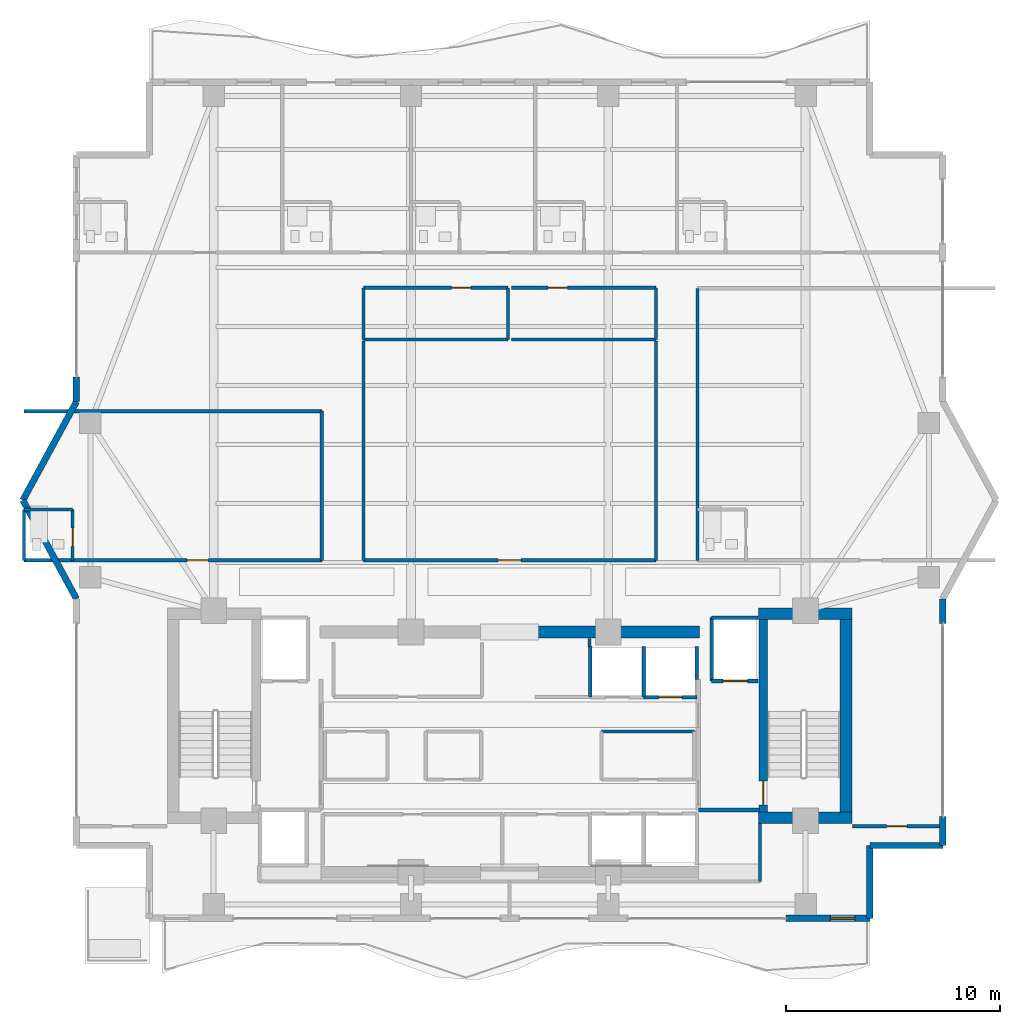
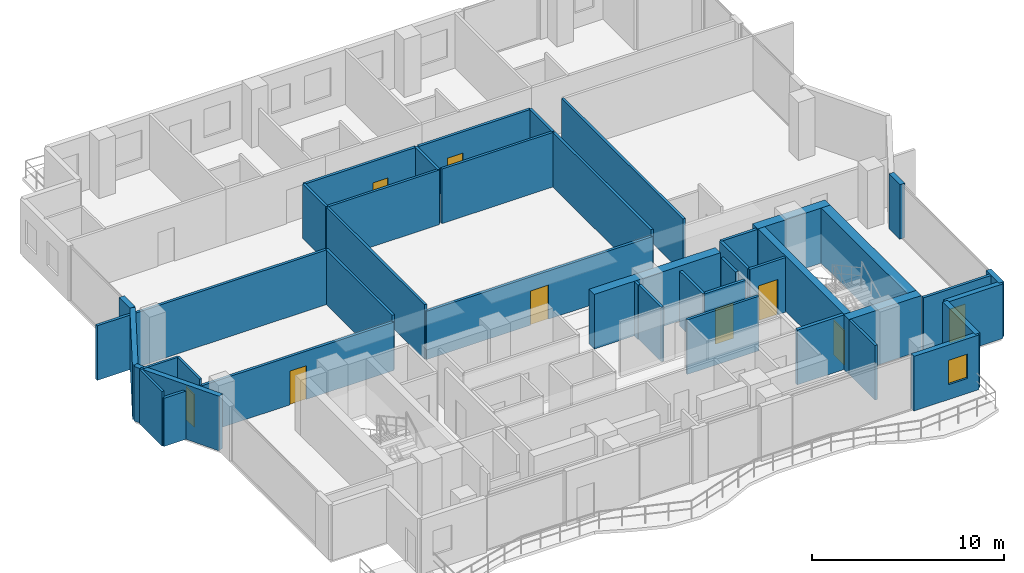
# One storey, part 19 of 25: 42 walls, 9 doors, 1 window, 10 openings.
"""IFC4 building model written with IfcOpenShell, lengths in metres."""

from ifc_helpers import new_model, si_unit, direction, frame, frame_2d, origin, place, context, subcontext, project, spatial, rectangle, extrude, material, layer, layer_set, type_object, element, fill, save


model = new_model("IFC4")

# Units and contexts
model_context = context("Model", 3, precision=1e-05, world=origin(), true_north=direction((0.0, 1.0)))
body_context = subcontext(model_context, "Body", "Model", "MODEL_VIEW")
ifc_project = project(units=[si_unit("LENGTHUNIT", "METRE"), si_unit("AREAUNIT", "SQUARE_METRE"), si_unit("VOLUMEUNIT", "CUBIC_METRE"), si_unit("PLANEANGLEUNIT", "RADIAN"), si_unit("MASSUNIT", "GRAM", prefix="KILO")], contexts=[model_context])

# Site, building, storey
site_placement = place(None, origin())
site = spatial("IfcSite", under=ifc_project, at=site_placement, CompositionType="ELEMENT")
building_placement = place(site_placement, origin())
building = spatial("IfcBuilding", under=site, at=building_placement, Name="Zuhayl Quay Hotel", CompositionType="ELEMENT")
storey_placement = place(building_placement, frame((0.0, 0.0, 243.35009765625)))
storey = spatial("IfcBuildingStorey", under=building, at=storey_placement, Name="L61", CompositionType="ELEMENT", Elevation=243.35009765625)

# Walls
ifc_material_1 = material(Name="Concrete C50/60", Category="concrete")
ifc_layer_1 = layer(ifc_material_1, 0.550048828125, Name="Concrete C50/60", Category="concrete")
ifc_layer_set_1 = layer_set([ifc_layer_1], Name="Concrete C50/60")
wall_type_1 = type_object("IfcWallType", Name="WL_CORE_550", PredefinedType="SHEAR", material=ifc_layer_set_1)
wall_1_placement = place(storey_placement, frame((11.60009765625, 14.205078125, 0.0), z_axis=(0.0, 0.0, 1.0), x_axis=(1.0, 0.0, 0.0)))
element("IfcWall", 1, at=wall_1_placement, inside=storey, type_object=wall_type_1, Name="L61 Core Shear Wall CW_NE", PredefinedType="SHEAR", context=body_context, shape_type="SweptSolid", body=[
    extrude(rectangle(XDim=4.35986328125, YDim=0.550048828125, at=frame_2d((2.179931640625, 0.0))), origin(), (0.0, 0.0, 1.0), 3.510009765625),
])
wall_2_placement = place(storey_placement, frame((15.68505859375, 4.969970703125, 0.0), z_axis=(0.0, 0.0, 1.0), x_axis=(0.0, 1.0, 0.0)))
element("IfcWall", 2, at=wall_2_placement, inside=storey, type_object=wall_type_1, Name="L61 Core Shear Wall CW_E", PredefinedType="SHEAR", context=body_context, shape_type="SweptSolid", body=[
    extrude(rectangle(XDim=8.9599609375, YDim=0.550048828125, at=frame_2d((4.47998046875, 0.0))), origin(), (0.0, 0.0, 1.0), 3.510009765625),
])
wall_3_placement = place(storey_placement, frame((11.60009765625, 4.695068359375, 0.0), z_axis=(0.0, 0.0, 1.0), x_axis=(1.0, 0.0, 0.0)))
element("IfcWall", 3, at=wall_3_placement, inside=storey, type_object=wall_type_1, Name="L61 Core Shear Wall CW_SE", PredefinedType="SHEAR", context=body_context, shape_type="SweptSolid", body=[
    extrude(rectangle(XDim=4.35986328125, YDim=0.550048828125, at=frame_2d((2.179931640625, 0.0))), origin(), (0.0, 0.0, 1.0), 3.510009765625),
])
wall_4_placement = place(storey_placement, frame((1.25, 13.35009765625, 0.0), z_axis=(0.0, 0.0, 1.0), x_axis=(1.0, 0.0, 0.0)))
element("IfcWall", 4, at=wall_4_placement, inside=storey, type_object=wall_type_1, Name="L61 Core Shear Wall CW_NC_E", PredefinedType="SHEAR", context=body_context, shape_type="SweptSolid", body=[
    extrude(rectangle(XDim=7.60009765625, YDim=0.550048828125, at=frame_2d((3.800048828125, 0.0))), origin(), (0.0, 0.0, 1.0), 3.47998046875),
])
ifc_material_2 = material(Name="Precast concrete C45/55", Category="concrete")
ifc_layer_2 = layer(ifc_material_2, 0.300048828125, Name="Precast concrete C45/55", Category="concrete")
ifc_layer_set_2 = layer_set([ifc_layer_2], Name="Precast concrete C45/55")
wall_type_2 = type_object("IfcWallType", Name="WL_EXT_300", PredefinedType="STANDARD", material=ifc_layer_set_2)
for number, where, z_axis, x_axis, name in (
    (5, (-20.199951171875, 14.89990234375, 0.0), (0.0, 0.0, 1.0), (-0.477505494629, 0.878628762675, 0.0), "L61 Exterior Precast Wall ENV_L61_EW03"),
    (6, (-22.699951171875, 19.5, 0.0), (0.0, 0.0, 1.0), (0.477505494629, 0.878628762675, 0.0), "L61 Exterior Precast Wall ENV_L61_EW04"),
):
    element("IfcWall", number, at=place(storey_placement, frame(where, z_axis=z_axis, x_axis=x_axis)), inside=storey, type_object=wall_type_2, Name=name, PredefinedType="STANDARD", context=body_context, shape_type="SweptSolid", body=[
        extrude(rectangle(XDim=5.235595703125, YDim=0.300048828125, at=frame_2d((2.61767578125, 0.0))), origin(), (0.0, 0.0, 1.0), 3.47998046875),
    ])
for number, where, z_axis, x_axis, name in (
    (7, (-20.199951171875, 24.10009765625, 0.0), (0.0, 0.0, 1.0), (0.0, 1.0, 0.0), "L61 Exterior Precast Wall ENV_L61_E05_EW1"),
    (8, (20.199951171875, 14.89990234375, 0.0), (0.0, 0.0, 1.0), (0.0, -1.0, 0.0), "L61 Exterior Precast Wall ENV_L61_E14_EW1"),
):
    element("IfcWall", number, at=place(storey_placement, frame(where, z_axis=z_axis, x_axis=x_axis)), inside=storey, type_object=wall_type_2, Name=name, PredefinedType="STANDARD", context=body_context, shape_type="SweptSolid", body=[
        extrude(rectangle(XDim=1.14990234375, YDim=0.300048828125, at=frame_2d((0.574951171875, 0.0))), origin(), (0.0, 0.0, 1.0), 3.47998046875),
    ])
wall_5_placement = place(storey_placement, frame((20.199951171875, 4.75, 0.0), z_axis=(0.0, 0.0, 1.0), x_axis=(0.0, -1.0, 0.0)))
element("IfcWall", 9, at=wall_5_placement, inside=storey, type_object=wall_type_2, Name="L61 Exterior Precast Wall ENV_L61_E14_EW2", PredefinedType="STANDARD", context=body_context, shape_type="SweptSolid", body=[
    extrude(rectangle(XDim=1.35009765625, YDim=0.300048828125, at=frame_2d((0.675048828125, 0.0))), origin(), (0.0, 0.0, 1.0), 3.47998046875),
])
for number, where, z_axis, x_axis, name in (
    (10, (20.199951171875, 3.39990234375, 0.0), (0.0, 0.0, 1.0), (-1.0, 0.0, 0.0), "L61 Exterior Precast Wall ENV_L61_EW15"),
    (11, (16.800048828125, 3.39990234375, 0.0), (0.0, 0.0, 1.0), (0.0, -1.0, 0.0), "L61 Exterior Precast Wall ENV_L61_EW16"),
):
    element("IfcWall", number, at=place(storey_placement, frame(where, z_axis=z_axis, x_axis=x_axis)), inside=storey, type_object=wall_type_2, Name=name, PredefinedType="STANDARD", context=body_context, shape_type="SweptSolid", body=[
        extrude(rectangle(XDim=3.39990234375, YDim=0.300048828125, at=frame_2d((1.699951171875, 0.0))), origin(), (0.0, 0.0, 1.0), 3.47998046875),
    ])

# Wall, opening, window
wall_6_placement = place(storey_placement, frame((16.800048828125, 0.0, 0.0), z_axis=(0.0, 0.0, 1.0), x_axis=(-1.0, 0.0, 0.0)))
wall_6 = element("IfcWall", 12, at=wall_6_placement, inside=storey, type_object=wall_type_2, Name="L61 Exterior Precast Wall ENV_L61_S_EW1", PredefinedType="STANDARD", context=body_context, shape_type="SweptSolid", body=[
    extrude(rectangle(XDim=3.920166015625, YDim=0.300048828125, at=frame_2d((1.9599609375, 0.0))), origin(), (0.0, 0.0, 1.0), 3.47998046875),
])
opening_1_placement = place(wall_6_placement, frame((0.695068359375, 0.0, 0.949951171875)))
opening_1 = element("IfcOpeningElement", 13, at=opening_1_placement, cuts=wall_6, Name="Opening W01N", PredefinedType="OPENING", context=body_context, shape_type="SweptSolid", body=[
    extrude(rectangle(XDim=1.14990234375, YDim=1.550048828125, at=frame_2d((0.574951171875, 0.77490234375))), frame((0.0, 0.159912109375, 0.0), z_axis=(0.0, -1.0, 0.0), x_axis=(1.0, 0.0, 0.0)), (0.0, 0.0, 1.0), 0.320068359375),
])
ifc_material_3 = material(Name="Dark Ceramic-Fritted Solar Glass", Category="glass")
window_type = type_object("IfcWindowType", Name="WN_NOTCH_1350", PartitioningType="SINGLE_PANEL", PredefinedType="WINDOW", material=ifc_material_3)
window_placement = place(opening_1_placement, origin())
window = element("IfcWindow", 14, at=window_placement, inside=storey, type_object=window_type, Name="L61 Operable Facade Window 1-1", OverallHeight=1.550048828125, OverallWidth=1.14990234375, PartitioningType="SINGLE_PANEL", PredefinedType="WINDOW", context=body_context, shape_type="SweptSolid", body=[
    extrude(rectangle(XDim=1.14990234375, YDim=1.550048828125, at=frame_2d((0.574951171875, 0.77490234375))), frame((0.0, 0.030029296875, 0.0), z_axis=(0.0, -1.0, 0.0), x_axis=(1.0, 0.0, 0.0)), (0.0, 0.0, 1.0), 0.06005859375),
])
fill(opening_1, window)

# Walls
ifc_material_4 = material(Name="Acoustic Gypsum Partition STC-58")
ifc_layer_3 = layer(ifc_material_4, 0.14990234375, Name="Acoustic Gypsum Partition STC-58")
ifc_layer_set_3 = layer_set([ifc_layer_3], Name="Acoustic Gypsum Partition STC-58")
wall_type_3 = type_object("IfcWallType", Name="WL_PART_150", PredefinedType="PARTITIONING", material=ifc_layer_set_3)
wall_7_placement = place(storey_placement, frame((4.2900390625, 8.719970703125, 0.0), z_axis=(0.0, 0.0, 1.0), x_axis=(1.0, 0.0, 0.0)))
element("IfcWall", 15, at=wall_7_placement, inside=storey, type_object=wall_type_3, Name="L61 Partition IW_L61_CORE_VL_N", PredefinedType="PARTITIONING", context=body_context, shape_type="SweptSolid", body=[
    extrude(rectangle(XDim=4.320068359375, YDim=0.14990234375, at=frame_2d((2.16015625, 0.0))), origin(), (0.0, 0.0, 1.0), 3.47998046875),
])
wall_8_placement = place(storey_placement, frame((3.719970703125, 12.679931640625, 0.0), z_axis=(0.0, 0.0, 1.0), x_axis=(0.0, 1.0, 0.0)))
element("IfcWall", 16, at=wall_8_placement, inside=storey, type_object=wall_type_3, Name="L61 Partition IW_L61_VEST_MP4_E", PredefinedType="PARTITIONING", context=body_context, shape_type="SweptSolid", body=[
    extrude(rectangle(XDim=0.3701171875, YDim=0.14990234375, at=frame_2d((0.18505859375, 0.0))), origin(), (0.0, 0.0, 1.0), 3.47998046875),
])
wall_9_placement = place(storey_placement, frame((11.679931640625, 1.719970703125, 0.0), z_axis=(0.0, 0.0, 1.0), x_axis=(0.0, 1.0, 0.0)))
element("IfcWall", 17, at=wall_9_placement, inside=storey, type_object=wall_type_3, Name="L61 Partition IW_L61_Z4_SUN_SE_IN", PredefinedType="PARTITIONING", context=body_context, shape_type="SweptSolid", body=[
    extrude(rectangle(XDim=2.699951171875, YDim=0.14990234375, at=frame_2d((1.35009765625, 0.0))), origin(), (0.0, 0.0, 1.0), 3.47998046875),
])
wall_10_placement = place(storey_placement, frame((-6.820068359375, 27.0, 0.0), z_axis=(0.0, 0.0, 1.0), x_axis=(1.0, 0.0, 0.0)))
element("IfcWall", 18, at=wall_10_placement, inside=storey, type_object=wall_type_3, Name="L61 Partition IW_L61_HK_MAIN_S", PredefinedType="PARTITIONING", context=body_context, shape_type="SweptSolid", body=[
    extrude(rectangle(XDim=6.739990234375, YDim=0.14990234375, at=frame_2d((3.3701171875, 0.0))), origin(), (0.0, 0.0, 1.0), 3.47998046875),
])
for number, where, z_axis, x_axis, name in (
    (19, (-6.820068359375, 27.0, 0.0), (0.0, 0.0, 1.0), (0.0, 1.0, 0.0), "L61 Partition IW_L61_HK_MAIN_W"),
    (20, (-0.080078125, 27.0, 0.0), (0.0, 0.0, 1.0), (0.0, 1.0, 0.0), "L61 Partition IW_L61_HK_MAIN_E"),
):
    element("IfcWall", number, at=place(storey_placement, frame(where, z_axis=z_axis, x_axis=x_axis)), inside=storey, type_object=wall_type_3, Name=name, PredefinedType="PARTITIONING", context=body_context, shape_type="SweptSolid", body=[
        extrude(rectangle(XDim=2.39990234375, YDim=0.14990234375, at=frame_2d((1.199951171875, 0.0))), origin(), (0.0, 0.0, 1.0), 3.47998046875),
    ])
wall_11_placement = place(storey_placement, frame((0.080078125, 27.0, 0.0), z_axis=(0.0, 0.0, 1.0), x_axis=(1.0, 0.0, 0.0)))
element("IfcWall", 21, at=wall_11_placement, inside=storey, type_object=wall_type_3, Name="L61 Partition IW_L61_TEA_MAIN_S", PredefinedType="PARTITIONING", context=body_context, shape_type="SweptSolid", body=[
    extrude(rectangle(XDim=6.739990234375, YDim=0.14990234375, at=frame_2d((3.3701171875, 0.0))), origin(), (0.0, 0.0, 1.0), 3.47998046875),
])
wall_12_placement = place(storey_placement, frame((6.820068359375, 27.0, 0.0), z_axis=(0.0, 0.0, 1.0), x_axis=(0.0, 1.0, 0.0)))
element("IfcWall", 22, at=wall_12_placement, inside=storey, type_object=wall_type_3, Name="L61 Partition IW_L61_TEA_MAIN_E", PredefinedType="PARTITIONING", context=body_context, shape_type="SweptSolid", body=[
    extrude(rectangle(XDim=2.39990234375, YDim=0.14990234375, at=frame_2d((1.199951171875, 0.0))), origin(), (0.0, 0.0, 1.0), 3.47998046875),
])
for number, where, z_axis, x_axis, name in (
    (23, (-6.820068359375, 16.699951171875, 0.0), (0.0, 0.0, 1.0), (0.0, 1.0, 0.0), "L61 Partition IW_L61_Z4_MAJ_W"),
    (24, (6.820068359375, 16.699951171875, 0.0), (0.0, 0.0, 1.0), (0.0, 1.0, 0.0), "L61 Partition IW_L61_Z4_MAJ_E"),
):
    element("IfcWall", number, at=place(storey_placement, frame(where, z_axis=z_axis, x_axis=x_axis)), inside=storey, type_object=wall_type_3, Name=name, PredefinedType="PARTITIONING", context=body_context, shape_type="SweptSolid", body=[
        extrude(rectangle(XDim=10.219970703125, YDim=0.14990234375, at=frame_2d((5.10986328125, 0.0))), origin(), (0.0, 0.0, 1.0), 3.47998046875),
    ])
wall_13_placement = place(storey_placement, frame((-8.760009765625, 16.699951171875, 0.0), z_axis=(0.0, 0.0, 1.0), x_axis=(0.0, 1.0, 0.0)))
element("IfcWall", 25, at=wall_13_placement, inside=storey, type_object=wall_type_3, Name="L61 Partition IW_L61_WU01_E", PredefinedType="PARTITIONING", context=body_context, shape_type="SweptSolid", body=[
    extrude(rectangle(XDim=6.949951171875, YDim=0.14990234375, at=frame_2d((3.47509765625, 0.0))), origin(), (0.0, 0.0, 1.0), 3.47998046875),
])
wall_14_placement = place(storey_placement, frame((8.760009765625, 16.699951171875, 0.0), z_axis=(0.0, 0.0, 1.0), x_axis=(0.0, 1.0, 0.0)))
element("IfcWall", 26, at=wall_14_placement, inside=storey, type_object=wall_type_3, Name="L61 Partition IW_L61_EU01_W", PredefinedType="PARTITIONING", context=body_context, shape_type="SweptSolid", body=[
    extrude(rectangle(XDim=12.679931640625, YDim=0.14990234375, at=frame_2d((6.33984375, 0.0))), origin(), (0.0, 0.0, 1.0), 3.47998046875),
])

# Wall, opening, door
ifc_layer_4 = layer(ifc_material_4, 0.159912109375, Name="Acoustic Gypsum Partition STC-58")
ifc_layer_set_4 = layer_set([ifc_layer_4], Name="Acoustic Gypsum Partition STC-58")
wall_type_4 = type_object("IfcWallType", Name="WL_PART_CORR_160", PredefinedType="PARTITIONING", material=ifc_layer_set_4)
wall_15_placement = place(storey_placement, frame((15.97998046875, 4.300048828125, 0.0), z_axis=(0.0, 0.0, 1.0), x_axis=(1.0, 0.0, 0.0)))
wall_15 = element("IfcWall", 27, at=wall_15_placement, inside=storey, type_object=wall_type_4, Name="L61 Partition IW_L61_Z4_SUN_SE_N", PredefinedType="PARTITIONING", context=body_context, shape_type="SweptSolid", body=[
    extrude(rectangle(XDim=4.159912109375, YDim=0.159912109375, at=frame_2d((2.080078125, 0.0))), origin(), (0.0, 0.0, 1.0), 3.47998046875),
])
opening_2_placement = place(wall_15_placement, frame((1.60498046875, 0.0, 0.0)))
opening_2 = element("IfcOpeningElement", 28, at=opening_2_placement, cuts=wall_15, Name="Opening D03", PredefinedType="OPENING", context=body_context, shape_type="SweptSolid", body=[
    extrude(rectangle(XDim=0.949951171875, YDim=2.14990234375, at=frame_2d((0.47509765625, 1.074951171875))), frame((0.0, 0.08984375, 0.0), z_axis=(0.0, -1.0, 0.0), x_axis=(1.0, 0.0, 0.0)), (0.0, 0.0, 1.0), 0.179931640625),
])
ifc_material_5 = material(Name="Solid Walnut Acoustic Fire Door")
door_type_1 = type_object("IfcDoorType", Name="DR_SUITE_950", OperationType="NOTDEFINED", PredefinedType="DOOR", material=ifc_material_5)
door_1_placement = place(opening_2_placement, origin())
door_1 = element("IfcDoor", 29, at=door_1_placement, inside=storey, type_object=door_type_1, Name="L61 Sunset Salon SE Door", OperationType="SINGLE_SWING_LEFT", OverallHeight=2.14990234375, OverallWidth=0.949951171875, PredefinedType="DOOR", context=body_context, shape_type="SweptSolid", body=[
    extrude(rectangle(XDim=0.949951171875, YDim=2.14990234375, at=frame_2d((0.47509765625, 1.074951171875))), frame((0.0, 0.02490234375, 0.0), z_axis=(0.0, -1.0, 0.0), x_axis=(1.0, 0.0, 0.0)), (0.0, 0.0, 1.0), 0.050048828125),
])
fill(opening_2, door_1)

wall_16_placement = place(storey_placement, frame((-6.820068359375, 29.39990234375, 0.0), z_axis=(0.0, 0.0, 1.0), x_axis=(1.0, 0.0, 0.0)))
wall_16 = element("IfcWall", 30, at=wall_16_placement, inside=storey, type_object=wall_type_4, Name="L61 Partition IW_L61_HK_MAIN_N", PredefinedType="PARTITIONING", context=body_context, shape_type="SweptSolid", body=[
    extrude(rectangle(XDim=6.739990234375, YDim=0.159912109375, at=frame_2d((3.3701171875, 0.0))), origin(), (0.0, 0.0, 1.0), 3.47998046875),
])
opening_3_placement = place(wall_16_placement, frame((4.110107421875, 0.0, 0.0)))
opening_3 = element("IfcOpeningElement", 31, at=opening_3_placement, cuts=wall_16, Name="Opening D05", PredefinedType="OPENING", context=body_context, shape_type="SweptSolid", body=[
    extrude(rectangle(XDim=0.919921875, YDim=2.1201171875, at=frame_2d((0.4599609375, 1.06005859375))), frame((0.0, 0.08984375, 0.0), z_axis=(0.0, -1.0, 0.0), x_axis=(1.0, 0.0, 0.0)), (0.0, 0.0, 1.0), 0.179931640625),
])
door_type_2 = type_object("IfcDoorType", Name="DR_INT_950", OperationType="NOTDEFINED", PredefinedType="DOOR", material=ifc_material_5)
door_2_placement = place(opening_3_placement, origin())
door_2 = element("IfcDoor", 32, at=door_2_placement, inside=storey, type_object=door_type_2, Name="L61 Housekeeping and Linen Room Door", OperationType="SINGLE_SWING_RIGHT", OverallHeight=2.1201171875, OverallWidth=0.919921875, PredefinedType="DOOR", context=body_context, shape_type="SweptSolid", body=[
    extrude(rectangle(XDim=0.919921875, YDim=2.1201171875, at=frame_2d((0.4599609375, 1.06005859375))), frame((0.0, 0.02490234375, 0.0), z_axis=(0.0, -1.0, 0.0), x_axis=(1.0, 0.0, 0.0)), (0.0, 0.0, 1.0), 0.050048828125),
])
fill(opening_3, door_2)

wall_17_placement = place(storey_placement, frame((0.080078125, 29.39990234375, 0.0), z_axis=(0.0, 0.0, 1.0), x_axis=(1.0, 0.0, 0.0)))
wall_17 = element("IfcWall", 33, at=wall_17_placement, inside=storey, type_object=wall_type_4, Name="L61 Partition IW_L61_TEA_MAIN_N", PredefinedType="PARTITIONING", context=body_context, shape_type="SweptSolid", body=[
    extrude(rectangle(XDim=6.739990234375, YDim=0.159912109375, at=frame_2d((3.3701171875, 0.0))), origin(), (0.0, 0.0, 1.0), 3.47998046875),
])
opening_4_placement = place(wall_17_placement, frame((1.7099609375, 0.0, 0.0)))
opening_4 = element("IfcOpeningElement", 34, at=opening_4_placement, cuts=wall_17, Name="Opening D05", PredefinedType="OPENING", context=body_context, shape_type="SweptSolid", body=[
    extrude(rectangle(XDim=0.919921875, YDim=2.1201171875, at=frame_2d((0.4599609375, 1.06005859375))), frame((0.0, 0.08984375, 0.0), z_axis=(0.0, -1.0, 0.0), x_axis=(1.0, 0.0, 0.0)), (0.0, 0.0, 1.0), 0.179931640625),
])
door_3_placement = place(opening_4_placement, origin())
door_3 = element("IfcDoor", 35, at=door_3_placement, inside=storey, type_object=door_type_2, Name="L61 Floor Beverage Pantry Door", OperationType="SINGLE_SWING_LEFT", OverallHeight=2.1201171875, OverallWidth=0.919921875, PredefinedType="DOOR", context=body_context, shape_type="SweptSolid", body=[
    extrude(rectangle(XDim=0.919921875, YDim=2.1201171875, at=frame_2d((0.4599609375, 1.06005859375))), frame((0.0, 0.02490234375, 0.0), z_axis=(0.0, -1.0, 0.0), x_axis=(1.0, 0.0, 0.0)), (0.0, 0.0, 1.0), 0.050048828125),
])
fill(opening_4, door_3)

wall_18_placement = place(storey_placement, frame((-6.820068359375, 16.699951171875, 0.0), z_axis=(0.0, 0.0, 1.0), x_axis=(1.0, 0.0, 0.0)))
wall_18 = element("IfcWall", 36, at=wall_18_placement, inside=storey, type_object=wall_type_4, Name="L61 Partition IW_L61_Z4_MAJ_S", PredefinedType="PARTITIONING", context=body_context, shape_type="SweptSolid", body=[
    extrude(rectangle(XDim=13.64013671875, YDim=0.159912109375, at=frame_2d((6.820068359375, 0.0))), origin(), (0.0, 0.0, 1.0), 3.075927734375),
])
opening_5_placement = place(wall_18_placement, frame((6.280029296875, 0.0, 0.0)))
opening_5 = element("IfcOpeningElement", 37, at=opening_5_placement, cuts=wall_18, Name="Opening D05A", PredefinedType="OPENING", context=body_context, shape_type="SweptSolid", body=[
    extrude(rectangle(XDim=1.080078125, YDim=2.179931640625, at=frame_2d((0.5400390625, 1.08984375))), frame((0.0, 0.08984375, 0.0), z_axis=(0.0, -1.0, 0.0), x_axis=(1.0, 0.0, 0.0)), (0.0, 0.0, 1.0), 0.179931640625),
])
door_type_3 = type_object("IfcDoorType", Name="DR_INT_1100", OperationType="NOTDEFINED", PredefinedType="DOOR", material=ifc_material_5)
door_4_placement = place(opening_5_placement, origin())
door_4 = element("IfcDoor", 38, at=door_4_placement, inside=storey, type_object=door_type_3, Name="L61 Royal Gulf Majlis Door", OperationType="SINGLE_SWING_RIGHT", OverallHeight=2.179931640625, OverallWidth=1.080078125, PredefinedType="DOOR", context=body_context, shape_type="SweptSolid", body=[
    extrude(rectangle(XDim=1.080078125, YDim=2.179931640625, at=frame_2d((0.5400390625, 1.08984375))), frame((0.0, 0.02490234375, 0.0), z_axis=(0.0, -1.0, 0.0), x_axis=(1.0, 0.0, 0.0)), (0.0, 0.0, 1.0), 0.050048828125),
])
fill(opening_5, door_4)

wall_19_placement = place(storey_placement, frame((-22.639892578125, 16.699951171875, 0.0), z_axis=(0.0, 0.0, 1.0), x_axis=(1.0, 0.0, 0.0)))
wall_19 = element("IfcWall", 39, at=wall_19_placement, inside=storey, type_object=wall_type_4, Name="L61 Partition IW_L61_WU01_COR", PredefinedType="PARTITIONING", context=body_context, shape_type="SweptSolid", body=[
    extrude(rectangle(XDim=13.8798828125, YDim=0.159912109375, at=frame_2d((6.93994140625, 0.0))), origin(), (0.0, 0.0, 1.0), 3.075927734375),
])
opening_6_placement = place(wall_19_placement, frame((7.590087890625, 0.0, 0.0)))
opening_6 = element("IfcOpeningElement", 40, at=opening_6_placement, cuts=wall_19, Name="Opening D03L", PredefinedType="OPENING", context=body_context, shape_type="SweptSolid", body=[
    extrude(rectangle(XDim=1.0, YDim=2.14990234375, at=frame_2d((0.5, 1.074951171875))), frame((0.0, 0.08984375, 0.0), z_axis=(0.0, -1.0, 0.0), x_axis=(1.0, 0.0, 0.0)), (0.0, 0.0, 1.0), 0.179931640625),
])
door_type_4 = type_object("IfcDoorType", Name="DR_SUITE_1000", OperationType="NOTDEFINED", PredefinedType="DOOR", material=ifc_material_5)
door_5_placement = place(opening_6_placement, origin())
door_5 = element("IfcDoor", 41, at=door_5_placement, inside=storey, type_object=door_type_4, Name="L61 West Gulf Suite L61-W1 Entrance Door", OperationType="SINGLE_SWING_RIGHT", OverallHeight=2.14990234375, OverallWidth=1.0, PredefinedType="DOOR", context=body_context, shape_type="SweptSolid", body=[
    extrude(rectangle(XDim=1.0, YDim=2.14990234375, at=frame_2d((0.5, 1.074951171875))), frame((0.0, 0.02490234375, 0.0), z_axis=(0.0, -1.0, 0.0), x_axis=(1.0, 0.0, 0.0)), (0.0, 0.0, 1.0), 0.050048828125),
])
fill(opening_6, door_5)

# Wall
wall_20_placement = place(storey_placement, frame((-22.639892578125, 23.64990234375, 0.0), z_axis=(0.0, 0.0, 1.0), x_axis=(1.0, 0.0, 0.0)))
element("IfcWall", 42, at=wall_20_placement, inside=storey, type_object=wall_type_4, Name="L61 Partition IW_L61_WU01_BK", PredefinedType="PARTITIONING", context=body_context, shape_type="SweptSolid", body=[
    extrude(rectangle(XDim=13.8798828125, YDim=0.159912109375, at=frame_2d((6.93994140625, 0.0))), origin(), (0.0, 0.0, 1.0), 3.47998046875),
])

# Wall, opening, door
ifc_material_6 = material(Name="Moisture-Resistant Sanitarychase Gypsum")
ifc_layer_5 = layer(ifc_material_6, 0.135009765625, Name="Moisture-Resistant Sanitarychase Gypsum")
ifc_layer_set_5 = layer_set([ifc_layer_5], Name="Moisture-Resistant Sanitarychase Gypsum")
wall_type_5 = type_object("IfcWallType", Name="WL_PART_PLUMB_150", PredefinedType="PLUMBINGWALL", material=ifc_layer_set_5)
wall_21_placement = place(storey_placement, frame((-20.3798828125, 16.699951171875, 0.0), z_axis=(0.0, 0.0, 1.0), x_axis=(0.0, 1.0, 0.0)))
wall_21 = element("IfcWall", 43, at=wall_21_placement, inside=storey, type_object=wall_type_5, Name="L61 Partition IW_L61_WU01_BE", PredefinedType="PLUMBINGWALL", context=body_context, shape_type="SweptSolid", body=[
    extrude(rectangle(XDim=2.360107421875, YDim=0.135009765625, at=frame_2d((1.18017578125, 0.0))), origin(), (0.0, 0.0, 1.0), 3.47998046875),
])
opening_7_placement = place(wall_21_placement, frame((0.64990234375, 0.0, 0.0)))
opening_7 = element("IfcOpeningElement", 44, at=opening_7_placement, cuts=wall_21, Name="Opening D04", PredefinedType="OPENING", context=body_context, shape_type="SweptSolid", body=[
    extrude(rectangle(XDim=0.85009765625, YDim=2.10009765625, at=frame_2d((0.425048828125, 1.050048828125))), frame((0.0, 0.077392578125, 0.0), z_axis=(0.0, -1.0, 0.0), x_axis=(1.0, 0.0, 0.0)), (0.0, 0.0, 1.0), 0.155029296875),
])
ifc_material_7 = material(Name="Moisture-Resistant Walnut Veneer")
door_type_5 = type_object("IfcDoorType", Name="DR_BATH_850", OperationType="NOTDEFINED", PredefinedType="DOOR", material=ifc_material_7)
door_6_placement = place(opening_7_placement, origin())
door_6 = element("IfcDoor", 45, at=door_6_placement, inside=storey, type_object=door_type_5, Name="L61 West Gulf Suite L61-W1 En-Suite Door", OperationType="SINGLE_SWING_LEFT", OverallHeight=2.10009765625, OverallWidth=0.85009765625, PredefinedType="DOOR", context=body_context, shape_type="SweptSolid", body=[
    extrude(rectangle(XDim=0.85009765625, YDim=2.10009765625, at=frame_2d((0.425048828125, 1.050048828125))), frame((0.0, 0.02490234375, 0.0), z_axis=(0.0, -1.0, 0.0), x_axis=(1.0, 0.0, 0.0)), (0.0, 0.0, 1.0), 0.050048828125),
])
fill(opening_7, door_6)

# Walls
wall_22_placement = place(storey_placement, frame((-22.639892578125, 19.06005859375, 0.0), z_axis=(0.0, 0.0, 1.0), x_axis=(1.0, 0.0, 0.0)))
element("IfcWall", 46, at=wall_22_placement, inside=storey, type_object=wall_type_5, Name="L61 Partition IW_L61_WU01_BN", PredefinedType="PLUMBINGWALL", context=body_context, shape_type="SweptSolid", body=[
    extrude(rectangle(XDim=2.260009765625, YDim=0.135009765625, at=frame_2d((1.1298828125, 0.0))), origin(), (0.0, 0.0, 1.0), 3.47998046875),
])
wall_23_placement = place(storey_placement, frame((-22.639892578125, 16.699951171875, 0.0), z_axis=(0.0, 0.0, 1.0), x_axis=(0.0, 1.0, 0.0)))
element("IfcWall", 47, at=wall_23_placement, inside=storey, type_object=wall_type_5, Name="L61 Partition IW_L61_WU01_BW", PredefinedType="PLUMBINGWALL", context=body_context, shape_type="SweptSolid", body=[
    extrude(rectangle(XDim=2.360107421875, YDim=0.135009765625, at=frame_2d((1.18017578125, 0.0))), origin(), (0.0, 0.0, 1.0), 3.47998046875),
])

# Wall, opening, door
ifc_material_8 = material(Name="Gypsum Fireboard Assembly EI-90")
ifc_layer_6 = layer(ifc_material_8, 0.1650390625, Name="Gypsum Fireboard Assembly EI-90")
ifc_layer_set_6 = layer_set([ifc_layer_6], Name="Gypsum Fireboard Assembly EI-90")
wall_type_6 = type_object("IfcWallType", Name="WL_PART_SHAFT_160", PredefinedType="PARTITIONING", material=ifc_layer_set_6)
wall_24_placement = place(storey_placement, frame((9.419921875, 11.070068359375, 0.0), z_axis=(0.0, 0.0, 1.0), x_axis=(1.0, 0.0, 0.0)))
wall_24 = element("IfcWall", 48, at=wall_24_placement, inside=storey, type_object=wall_type_6, Name="L61 Partition IW_L61_SH_FL2_F", PredefinedType="PARTITIONING", context=body_context, shape_type="SweptSolid", body=[
    extrude(rectangle(XDim=2.16015625, YDim=0.1650390625, at=frame_2d((1.080078125, 0.0))), origin(), (0.0, 0.0, 1.0), 3.47998046875),
])
opening_8_placement = place(wall_24_placement, frame((0.530029296875, 0.0, 0.0)))
opening_8 = element("IfcOpeningElement", 49, at=opening_8_placement, cuts=wall_24, Name="Opening LD2", PredefinedType="OPENING", context=body_context, shape_type="SweptSolid", body=[
    extrude(rectangle(XDim=1.14990234375, YDim=2.25, at=frame_2d((0.574951171875, 1.125))), frame((0.0, 0.092529296875, 0.0), z_axis=(0.0, -1.0, 0.0), x_axis=(1.0, 0.0, 0.0)), (0.0, 0.0, 1.0), 0.18505859375),
])
ifc_material_9 = material(Name="Brushed Stainless Steel", Category="steel")
door_type_6 = type_object("IfcDoorType", Name="DR_LIFT_FF_1100", OperationType="SLIDING_TO_LEFT", PredefinedType="DOOR", material=ifc_material_9)
door_7_placement = place(opening_8_placement, origin())
door_7 = element("IfcDoor", 50, at=door_7_placement, inside=storey, type_object=door_type_6, Name="L61 Lift FL2 Sliding Landing Door", OperationType="SLIDING_TO_LEFT", OverallHeight=2.25, OverallWidth=1.14990234375, PredefinedType="DOOR", context=body_context, shape_type="SweptSolid", body=[
    extrude(rectangle(XDim=1.14990234375, YDim=2.25, at=frame_2d((0.574951171875, 1.125))), frame((0.0, 0.02490234375, 0.0), z_axis=(0.0, -1.0, 0.0), x_axis=(1.0, 0.0, 0.0)), (0.0, 0.0, 1.0), 0.050048828125),
])
fill(opening_8, door_7)

wall_25_placement = place(storey_placement, frame((6.25, 10.320068359375, 0.0), z_axis=(0.0, 0.0, 1.0), x_axis=(1.0, 0.0, 0.0)))
wall_25 = element("IfcWall", 51, at=wall_25_placement, inside=storey, type_object=wall_type_6, Name="L61 Partition IW_L61_SH_HP4_F", PredefinedType="PARTITIONING", context=body_context, shape_type="SweptSolid", body=[
    extrude(rectangle(XDim=2.47998046875, YDim=0.1650390625, at=frame_2d((1.239990234375, 0.0))), origin(), (0.0, 0.0, 1.0), 3.47998046875),
])
opening_9_placement = place(wall_25_placement, frame((0.68994140625, 0.0, 0.0)))
opening_9 = element("IfcOpeningElement", 52, at=opening_9_placement, cuts=wall_25, Name="Opening LD1", PredefinedType="OPENING", context=body_context, shape_type="SweptSolid", body=[
    extrude(rectangle(XDim=1.10009765625, YDim=2.25, at=frame_2d((0.550048828125, 1.125))), frame((0.0, 0.092529296875, 0.0), z_axis=(0.0, -1.0, 0.0), x_axis=(1.0, 0.0, 0.0)), (0.0, 0.0, 1.0), 0.18505859375),
])
door_type_7 = type_object("IfcDoorType", Name="DR_LIFT_PASS_1100", OperationType="SLIDING_TO_LEFT", PredefinedType="DOOR", material=ifc_material_9)
door_8_placement = place(opening_9_placement, origin())
door_8 = element("IfcDoor", 53, at=door_8_placement, inside=storey, type_object=door_type_7, Name="L61 Lift HP4 Sliding Landing Door", OperationType="SLIDING_TO_LEFT", OverallHeight=2.25, OverallWidth=1.10009765625, PredefinedType="DOOR", context=body_context, shape_type="SweptSolid", body=[
    extrude(rectangle(XDim=1.10009765625, YDim=2.25, at=frame_2d((0.550048828125, 1.125))), frame((0.0, 0.02490234375, 0.0), z_axis=(0.0, -1.0, 0.0), x_axis=(1.0, 0.0, 0.0)), (0.0, 0.0, 1.0), 0.050048828125),
])
fill(opening_9, door_8)

# Walls
wall_26_placement = place(storey_placement, frame((9.419921875, 11.070068359375, 0.0), z_axis=(0.0, 0.0, 1.0), x_axis=(0.0, 1.0, 0.0)))
element("IfcWall", 54, at=wall_26_placement, inside=storey, type_object=wall_type_6, Name="L61 Partition IW_L61_SH_FL2_W", PredefinedType="PARTITIONING", context=body_context, shape_type="SweptSolid", body=[
    extrude(rectangle(XDim=2.9599609375, YDim=0.1650390625, at=frame_2d((1.47998046875, 0.0))), origin(), (0.0, 0.0, 1.0), 3.47998046875),
])
wall_27_placement = place(storey_placement, frame((9.419921875, 14.030029296875, 0.0), z_axis=(0.0, 0.0, 1.0), x_axis=(1.0, 0.0, 0.0)))
element("IfcWall", 55, at=wall_27_placement, inside=storey, type_object=wall_type_6, Name="L61 Partition IW_L61_SH_FL2_B", PredefinedType="PARTITIONING", context=body_context, shape_type="SweptSolid", body=[
    extrude(rectangle(XDim=2.16015625, YDim=0.1650390625, at=frame_2d((1.080078125, 0.0))), origin(), (0.0, 0.0, 1.0), 3.47998046875),
])
for number, where, z_axis, x_axis, name in (
    (56, (3.77001953125, 10.320068359375, 0.0), (0.0, 0.0, 1.0), (0.0, 1.0, 0.0), "L61 Partition IW_L61_SH_HP3_W"),
    (57, (6.25, 10.320068359375, 0.0), (0.0, 0.0, 1.0), (0.0, 1.0, 0.0), "L61 Partition IW_L61_SH_HP3_E"),
):
    element("IfcWall", number, at=place(storey_placement, frame(where, z_axis=z_axis, x_axis=x_axis)), inside=storey, type_object=wall_type_6, Name=name, PredefinedType="PARTITIONING", context=body_context, shape_type="SweptSolid", body=[
        extrude(rectangle(XDim=2.35986328125, YDim=0.1650390625, at=frame_2d((1.179931640625, 0.0))), origin(), (0.0, 0.0, 1.0), 3.47998046875),
    ])
wall_28_placement = place(storey_placement, frame((8.72998046875, 11.14990234375, 0.0), z_axis=(0.0, 0.0, 1.0), x_axis=(0.0, 1.0, 0.0)))
element("IfcWall", 58, at=wall_28_placement, inside=storey, type_object=wall_type_6, Name="L61 Partition IW_L61_SH_HP4_E", PredefinedType="PARTITIONING", context=body_context, shape_type="SweptSolid", body=[
    extrude(rectangle(XDim=1.530029296875, YDim=0.1650390625, at=frame_2d((0.76513671875, 0.0))), origin(), (0.0, 0.0, 1.0), 3.47998046875),
])
ifc_material_10 = material(Name="Gypsum Fireboard Assembly EI-120")
ifc_layer_7 = layer(ifc_material_10, 0.199951171875, Name="Gypsum Fireboard Assembly EI-120")
ifc_layer_set_7 = layer_set([ifc_layer_7], Name="Gypsum Fireboard Assembly EI-120")
wall_type_7 = type_object("IfcWallType", Name="WL_PART_SHAFT_200", PredefinedType="PARTITIONING", material=ifc_layer_set_7)
wall_29_placement = place(storey_placement, frame((8.800048828125, 5.050048828125, 0.0), z_axis=(0.0, 0.0, 1.0), x_axis=(1.0, 0.0, 0.0)))
element("IfcWall", 59, at=wall_29_placement, inside=storey, type_object=wall_type_7, Name="L61 Partition IW_L61_FSAE_E_S", PredefinedType="PARTITIONING", context=body_context, shape_type="SweptSolid", body=[
    extrude(rectangle(XDim=2.849853515625, YDim=0.199951171875, at=frame_2d((1.4248046875, 0.0))), origin(), (0.0, 0.0, 1.0), 3.47998046875),
])

# Wall, opening, door
ifc_material_11 = material(Name="Concrete C60/75", Category="concrete")
ifc_layer_8 = layer(ifc_material_11, 0.39990234375, Name="Concrete C60/75", Category="concrete")
ifc_layer_set_8 = layer_set([ifc_layer_8], Name="Concrete C60/75")
wall_type_8 = type_object("IfcWallType", Name="WL_STAIR_400", PredefinedType="SHEAR", material=ifc_layer_set_8)
wall_30_placement = place(storey_placement, frame((11.820068359375, 13.929931640625, 0.0), z_axis=(0.0, 0.0, 1.0), x_axis=(0.0, -1.0, 0.0)))
wall_30 = element("IfcWall", 60, at=wall_30_placement, inside=storey, type_object=wall_type_8, Name="L61 Core Shear Wall SW_ST2", PredefinedType="SHEAR", context=body_context, shape_type="SweptSolid", body=[
    extrude(rectangle(XDim=8.9599609375, YDim=0.39990234375, at=frame_2d((4.47998046875, 0.0))), origin(), (0.0, 0.0, 1.0), 3.510009765625),
])
opening_10_placement = place(wall_30_placement, frame((7.530029296875, 0.0, 0.0)))
opening_10 = element("IfcOpeningElement", 61, at=opening_10_placement, cuts=wall_30, Name="Opening D01", PredefinedType="OPENING", context=body_context, shape_type="SweptSolid", body=[
    extrude(rectangle(XDim=1.1201171875, YDim=2.219970703125, at=frame_2d((0.56005859375, 1.10986328125))), frame((0.0, 0.2099609375, 0.0), z_axis=(0.0, -1.0, 0.0), x_axis=(1.0, 0.0, 0.0)), (0.0, 0.0, 1.0), 0.419921875),
])
ifc_material_12 = material(Name="Steel ASTM A992 Grade 50", Category="steel")
door_type_8 = type_object("IfcDoorType", Name="DR_STAIR_90_1100", OperationType="NOTDEFINED", PredefinedType="DOOR", material=ifc_material_12)
door_9_placement = place(opening_10_placement, origin())
door_9 = element("IfcDoor", 62, at=door_9_placement, inside=storey, type_object=door_type_8, Name="L61 Smokeproof Exit Stair ST2 Door", OperationType="SINGLE_SWING_RIGHT", OverallHeight=2.219970703125, OverallWidth=1.1201171875, PredefinedType="DOOR", context=body_context, shape_type="SweptSolid", body=[
    extrude(rectangle(XDim=1.1201171875, YDim=2.219970703125, at=frame_2d((0.56005859375, 1.10986328125))), frame((0.0, 0.02490234375, 0.0), z_axis=(0.0, -1.0, 0.0), x_axis=(1.0, 0.0, 0.0)), (0.0, 0.0, 1.0), 0.050048828125),
])
fill(opening_10, door_9)

save(model, "model.ifc")
